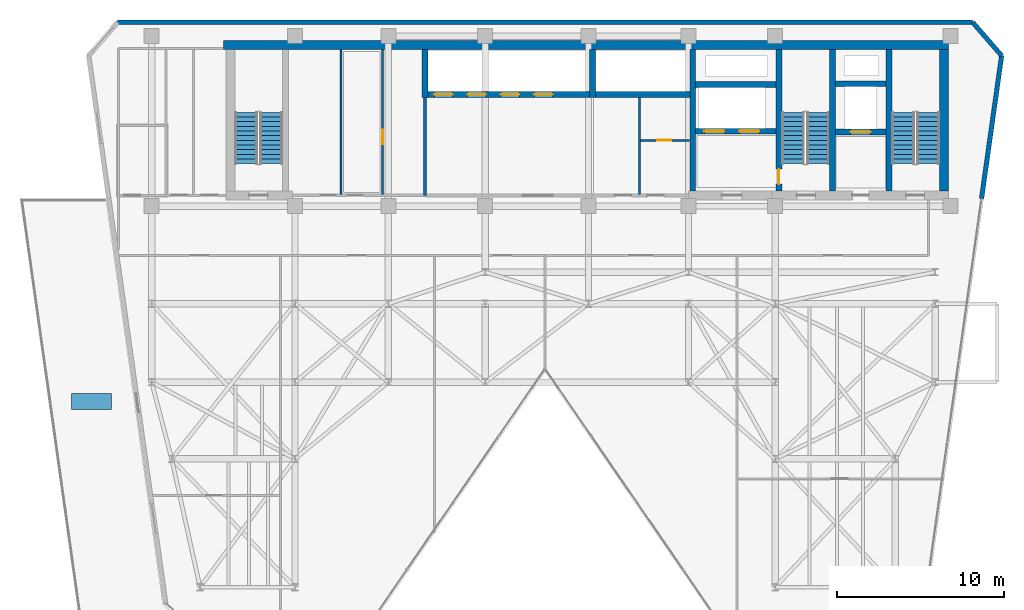
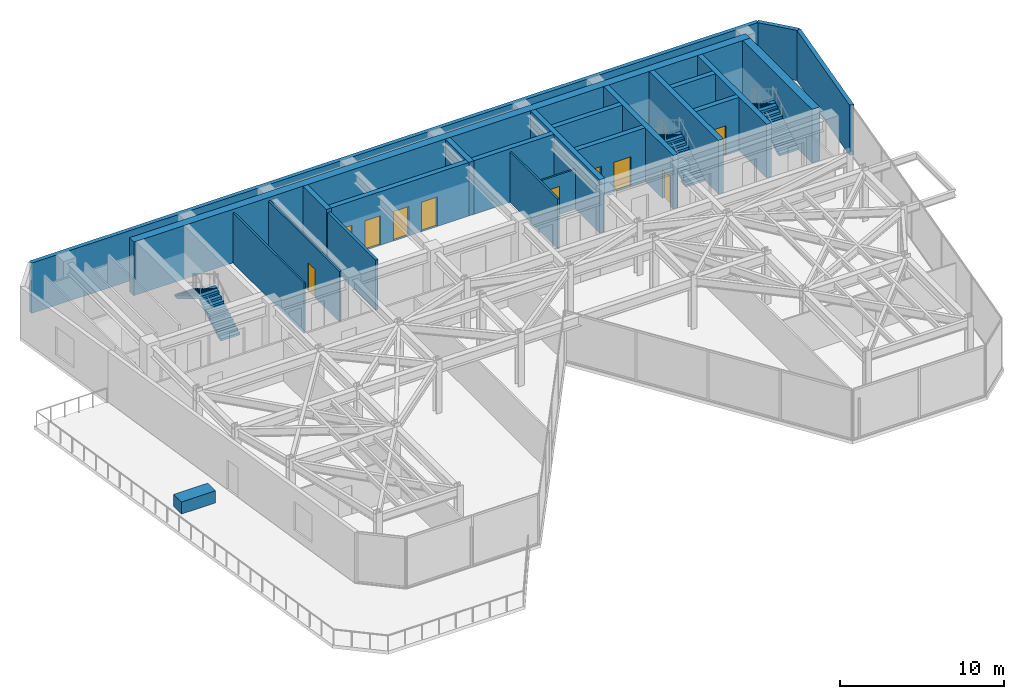
# One storey, part 18 of 21: 22 walls, 10 doors, 6 stair flights, 1 discrete accessory, 10 openings, 3 elements without a shape of their own.
"""IFC4 building model written with IfcOpenShell, lengths in metres."""

from ifc_helpers import new_model, si_unit, direction, frame, frame_2d, origin, origin_2d, place, context, subcontext, project, spatial, polyline, rectangle, outline, extrude, material, layer, layer_set, type_object, element, fill, aggregate, save


model = new_model("IFC4")

# Units and contexts
model_context = context("Model", 3, precision=1e-05, world=origin(), true_north=direction((0.0, 1.0)))
body_context = subcontext(model_context, "Body", "Model", "MODEL_VIEW")
ifc_project = project(units=[si_unit("LENGTHUNIT", "METRE"), si_unit("AREAUNIT", "SQUARE_METRE"), si_unit("VOLUMEUNIT", "CUBIC_METRE"), si_unit("PLANEANGLEUNIT", "RADIAN"), si_unit("MASSUNIT", "GRAM", prefix="KILO")], contexts=[model_context])

# Site, building, storey
site_placement = place(None, origin())
site = spatial("IfcSite", under=ifc_project, at=site_placement, CompositionType="ELEMENT")
building_placement = place(site_placement, origin())
building = spatial("IfcBuilding", under=site, at=building_placement, Name="Kravanh Interchange Tower", CompositionType="ELEMENT")
storey_placement = place(building_placement, frame((0.0, 0.0, 160.5)))
storey = spatial("IfcBuildingStorey", under=building, at=storey_placement, Name="L38", CompositionType="ELEMENT", Elevation=160.5)

# Wall
ifc_material_1 = material(Name="Double Acoustic Gypsum Board and Mineral Wool")
ifc_layer_1 = layer(ifc_material_1, 0.1201171875)
ifc_layer_set_1 = layer_set([ifc_layer_1], Name="Acoustic Office Drywall Partition 120mm")
wall_type_1 = type_object("IfcWallType", Name="Acoustic Office Drywall Partition 120mm", PredefinedType="PARTITIONING", material=ifc_layer_set_1)
wall_1_placement = place(storey_placement, frame((47.85009765625, 38.068115234375, 0.0), z_axis=(0.0, 0.0, 1.0), x_axis=(0.0, 1.0, 0.0)))
element("IfcWall", 1, at=wall_1_placement, inside=storey, type_object=wall_type_1, Name="L38 Interior Partition 2", PredefinedType="PARTITIONING", context=body_context, shape_type="SweptSolid", body=[
    extrude(rectangle(XDim=5.798828125, YDim=0.1201171875, at=frame_2d((2.8994140625, 0.0))), origin(), (0.0, 0.0, 1.0), 3.7548828125),
])

# Wall, opening, door
wall_2_placement = place(storey_placement, frame((47.91796875, 41.300048828125, 0.0), z_axis=(0.0, 0.0, 1.0), x_axis=(1.0, 0.0, 0.0)))
wall_2 = element("IfcWall", 2, at=wall_2_placement, inside=storey, type_object=wall_type_1, Name="L38 Interior Partition 3", PredefinedType="PARTITIONING", context=body_context, shape_type="SweptSolid", body=[
    extrude(rectangle(XDim=2.948974609375, YDim=0.1201171875, at=frame_2d((1.474609375, 0.0))), origin(), (0.0, 0.0, 1.0), 2.98193359375),
])
opening_1_placement = place(wall_2_placement, frame((0.9912109375, 0.0, 0.0)))
opening_1 = element("IfcOpeningElement", 3, at=opening_1_placement, cuts=wall_2, Name="Opening D-85", PredefinedType="OPENING", context=body_context, shape_type="SweptSolid", body=[
    extrude(rectangle(XDim=0.85009765625, YDim=2.10009765625, at=frame_2d((0.425048828125, 1.050048828125))), frame((0.0, 0.070068359375, 0.0), z_axis=(0.0, -1.0, 0.0), x_axis=(1.0, 0.0, 0.0)), (0.0, 0.0, 1.0), 0.14013671875),
])
ifc_material_2 = material(Name="Engineered Teak Veneer Timber", Category="wood")
door_type_1 = type_object("IfcDoorType", Name="En-Suite Timber Door 850x2100", OperationType="NOTDEFINED", PredefinedType="DOOR", material=ifc_material_2)
door_1_placement = place(opening_1_placement, origin())
door_1 = element("IfcDoor", 4, at=door_1_placement, inside=storey, type_object=door_type_1, Name="L38 Core Supply Inner Door", OperationType="SINGLE_SWING_LEFT", OverallHeight=2.10009765625, OverallWidth=0.85009765625, PredefinedType="DOOR", context=body_context, shape_type="SweptSolid", body=[
    extrude(rectangle(XDim=0.85009765625, YDim=2.10009765625, at=frame_2d((0.425048828125, 1.050048828125))), frame((0.0, 0.02490234375, 0.0), z_axis=(0.0, -1.0, 0.0), x_axis=(1.0, 0.0, 0.0)), (0.0, 0.0, 1.0), 0.050048828125),
])
fill(opening_1, door_1)

# Wall
wall_3_placement = place(storey_placement, frame((29.949951171875, 38.068115234375, 0.0), z_axis=(0.0, 0.0, 1.0), x_axis=(0.0, 1.0, 0.0)))
element("IfcWall", 5, at=wall_3_placement, inside=storey, type_object=wall_type_1, Name="L38 Interior Partition 6", PredefinedType="PARTITIONING", context=body_context, shape_type="SweptSolid", body=[
    extrude(rectangle(XDim=8.673828125, YDim=0.1201171875, at=frame_2d((4.3369140625, 0.0))), origin(), (0.0, 0.0, 1.0), 3.7548828125),
])

# Wall, opening, door
wall_4_placement = place(storey_placement, frame((32.449951171875, 38.068115234375, 0.0), z_axis=(0.0, 0.0, 1.0), x_axis=(0.0, 1.0, 0.0)))
wall_4 = element("IfcWall", 6, at=wall_4_placement, inside=storey, type_object=wall_type_1, Name="L38 Interior Partition 7", PredefinedType="PARTITIONING", context=body_context, shape_type="SweptSolid", body=[
    extrude(rectangle(XDim=8.673828125, YDim=0.1201171875, at=frame_2d((4.3369140625, 0.0))), origin(), (0.0, 0.0, 1.0), 3.7548828125),
])
opening_2_placement = place(wall_4_placement, frame((3.007080078125, 0.0, 0.0)))
opening_2 = element("IfcOpeningElement", 7, at=opening_2_placement, cuts=wall_4, Name="Opening D-85", PredefinedType="OPENING", context=body_context, shape_type="SweptSolid", body=[
    extrude(rectangle(XDim=0.85009765625, YDim=2.10009765625, at=frame_2d((0.425048828125, 1.050048828125))), frame((0.0, 0.070068359375, 0.0), z_axis=(0.0, -1.0, 0.0), x_axis=(1.0, 0.0, 0.0)), (0.0, 0.0, 1.0), 0.14013671875),
])
door_2_placement = place(opening_2_placement, origin())
door_2 = element("IfcDoor", 8, at=door_2_placement, inside=storey, type_object=door_type_1, Name="L38 Supply Room Inner Door", OperationType="SINGLE_SWING_RIGHT", OverallHeight=2.10009765625, OverallWidth=0.85009765625, PredefinedType="DOOR", context=body_context, shape_type="SweptSolid", body=[
    extrude(rectangle(XDim=0.85009765625, YDim=2.10009765625, at=frame_2d((0.425048828125, 1.050048828125))), frame((0.0, 0.02490234375, 0.0), z_axis=(0.0, -1.0, 0.0), x_axis=(1.0, 0.0, 0.0)), (0.0, 0.0, 1.0), 0.050048828125),
])
fill(opening_2, door_2)

# Walls
ifc_material_3 = material(Name="Concrete C60/75", Category="concrete")
ifc_layer_2 = layer(ifc_material_3, 0.35009765625)
ifc_layer_set_2 = layer_set([ifc_layer_2], Name="Core Shear Wall Concrete C60/75 350mm")
wall_type_2 = type_object("IfcWallType", Name="Core Shear Wall Concrete C60/75 350mm", PredefinedType="SHEAR", material=ifc_layer_set_2)
for number, where, z_axis, x_axis, name in (
    (9, (62.824951171875, 38.27490234375, 0.0), (0.0, 0.0, 1.0), (0.0, 1.0, 0.0), "L38 Stair ST1 West Shear Wall"),
    (10, (59.425048828125, 38.27490234375, 0.0), (0.0, 0.0, 1.0), (0.0, 1.0, 0.0), "L38 Stair ST2 East Shear Wall"),
):
    element("IfcWall", number, at=place(storey_placement, frame(where, z_axis=z_axis, x_axis=x_axis)), inside=storey, type_object=wall_type_2, Name=name, PredefinedType="SHEAR", context=body_context, shape_type="SweptSolid", body=[
        extrude(rectangle(XDim=8.47509765625, YDim=0.35009765625, at=frame_2d((4.237548828125, 0.0))), origin(), (0.0, 0.0, 1.0), 4.0),
    ])

# Wall, opening, door
wall_5_placement = place(storey_placement, frame((56.22509765625, 38.27490234375, 0.0), z_axis=(0.0, 0.0, 1.0), x_axis=(0.0, 1.0, 0.0)))
wall_5 = element("IfcWall", 11, at=wall_5_placement, inside=storey, type_object=wall_type_2, Name="L38 Stair ST2 West Shear Wall", PredefinedType="SHEAR", context=body_context, shape_type="SweptSolid", body=[
    extrude(rectangle(XDim=8.47509765625, YDim=0.35009765625, at=frame_2d((4.237548828125, 0.0))), origin(), (0.0, 0.0, 1.0), 4.0),
])
opening_3_placement = place(wall_5_placement, frame((0.405029296875, 0.0, 0.0)))
opening_3 = element("IfcOpeningElement", 12, at=opening_3_placement, cuts=wall_5, Name="Opening D-STAIR-90", PredefinedType="OPENING", context=body_context, shape_type="SweptSolid", body=[
    extrude(rectangle(XDim=0.89990234375, YDim=2.14990234375, at=frame_2d((0.449951171875, 1.074951171875))), frame((0.0, 0.18505859375, 0.0), z_axis=(0.0, -1.0, 0.0), x_axis=(1.0, 0.0, 0.0)), (0.0, 0.0, 1.0), 0.3701171875),
])
ifc_material_4 = material(Name="Structural Steel S355", Category="steel")
door_type_2 = type_object("IfcDoorType", Name="Fire-Rated Stair Lobby Door 900x2150", OperationType="NOTDEFINED", PredefinedType="DOOR", material=ifc_material_4)
door_3_placement = place(opening_3_placement, origin())
door_3 = element("IfcDoor", 13, at=door_3_placement, inside=storey, type_object=door_type_2, Name="L38 Firefighting Lobby to Stair ST2 Door", OperationType="SINGLE_SWING_LEFT", OverallHeight=2.14990234375, OverallWidth=0.89990234375, PredefinedType="DOOR", context=body_context, shape_type="SweptSolid", body=[
    extrude(rectangle(XDim=0.89990234375, YDim=2.14990234375, at=frame_2d((0.449951171875, 1.074951171875))), frame((0.0, 0.02490234375, 0.0), z_axis=(0.0, -1.0, 0.0), x_axis=(1.0, 0.0, 0.0)), (0.0, 0.0, 1.0), 0.050048828125),
])
fill(opening_3, door_3)

wall_6_placement = place(storey_placement, frame((59.60009765625, 41.800048828125, 0.0), z_axis=(0.0, 0.0, 1.0), x_axis=(1.0, 0.0, 0.0)))
wall_6 = element("IfcWall", 14, at=wall_6_placement, inside=storey, type_object=wall_type_2, Name="L38 Service Lift Shaft South Wall", PredefinedType="SHEAR", context=body_context, shape_type="SweptSolid", body=[
    extrude(rectangle(XDim=3.0498046875, YDim=0.35009765625, at=frame_2d((1.52490234375, 0.0))), origin(), (0.0, 0.0, 1.0), 4.0),
])
opening_4_placement = place(wall_6_placement, frame((0.919921875, 0.0, 0.0)))
opening_4 = element("IfcOpeningElement", 15, at=opening_4_placement, cuts=wall_6, Name="Opening LD02", PredefinedType="OPENING", context=body_context, shape_type="SweptSolid", body=[
    extrude(rectangle(XDim=1.199951171875, YDim=2.199951171875, at=frame_2d((0.60009765625, 1.10009765625))), frame((0.0, 0.18505859375, 0.0), z_axis=(0.0, -1.0, 0.0), x_axis=(1.0, 0.0, 0.0)), (0.0, 0.0, 1.0), 0.3701171875),
])
ifc_material_5 = material(Name="Stainless Steel 316", Category="steel")
door_type_3 = type_object("IfcDoorType", Name="Fire and Service Lift Sliding Landing Door 1200x2200", OperationType="DOUBLE_DOOR_SLIDING", PredefinedType="DOOR", material=ifc_material_5)
door_4_placement = place(opening_4_placement, origin())
door_4 = element("IfcDoor", 16, at=door_4_placement, inside=storey, type_object=door_type_3, Name="L38 Lift LS-01 Landing Door", OperationType="DOUBLE_DOOR_SLIDING", OverallHeight=2.199951171875, OverallWidth=1.199951171875, PredefinedType="DOOR", context=body_context, shape_type="SweptSolid", body=[
    extrude(rectangle(XDim=1.199951171875, YDim=2.199951171875, at=frame_2d((0.60009765625, 1.10009765625))), frame((0.0, 0.02490234375, 0.0), z_axis=(0.0, -1.0, 0.0), x_axis=(1.0, 0.0, 0.0)), (0.0, 0.0, 1.0), 0.050048828125),
])
fill(opening_4, door_4)

# Wall
wall_7_placement = place(storey_placement, frame((59.60009765625, 44.699951171875, 0.0), z_axis=(0.0, 0.0, 1.0), x_axis=(1.0, 0.0, 0.0)))
element("IfcWall", 17, at=wall_7_placement, inside=storey, type_object=wall_type_2, Name="L38 Service Lift Shaft North Wall", PredefinedType="SHEAR", context=body_context, shape_type="SweptSolid", body=[
    extrude(rectangle(XDim=3.0498046875, YDim=0.35009765625, at=frame_2d((1.52490234375, 0.0))), origin(), (0.0, 0.0, 1.0), 4.0),
])

# Wall, openings, doors
wall_8_placement = place(storey_placement, frame((51.22509765625, 41.85009765625, 0.0), z_axis=(0.0, 0.0, 1.0), x_axis=(1.0, 0.0, 0.0)))
wall_8 = element("IfcWall", 18, at=wall_8_placement, inside=storey, type_object=wall_type_2, Name="L38 Fire Lift Shaft South Wall", PredefinedType="SHEAR", context=body_context, shape_type="SweptSolid", body=[
    extrude(rectangle(XDim=4.824951171875, YDim=0.35009765625, at=frame_2d((2.41259765625, 0.0))), origin(), (0.0, 0.0, 1.0), 4.0),
])
opening_5_placement = place(wall_8_placement, frame((0.52490234375, 0.0, 0.0)))
opening_5 = element("IfcOpeningElement", 19, at=opening_5_placement, cuts=wall_8, Name="Opening LD02", PredefinedType="OPENING", context=body_context, shape_type="SweptSolid", body=[
    extrude(rectangle(XDim=1.199951171875, YDim=2.199951171875, at=frame_2d((0.60009765625, 1.10009765625))), frame((0.0, 0.18505859375, 0.0), z_axis=(0.0, -1.0, 0.0), x_axis=(1.0, 0.0, 0.0)), (0.0, 0.0, 1.0), 0.3701171875),
])
opening_6_placement = place(wall_8_placement, frame((2.625, 0.0, 0.0)))
opening_6 = element("IfcOpeningElement", 20, at=opening_6_placement, cuts=wall_8, Name="Opening LD02", PredefinedType="OPENING", context=body_context, shape_type="SweptSolid", body=[
    extrude(rectangle(XDim=1.199951171875, YDim=2.199951171875, at=frame_2d((0.60009765625, 1.10009765625))), frame((0.0, 0.18505859375, 0.0), z_axis=(0.0, -1.0, 0.0), x_axis=(1.0, 0.0, 0.0)), (0.0, 0.0, 1.0), 0.3701171875),
])
door_5_placement = place(opening_5_placement, origin())
door_5 = element("IfcDoor", 21, at=door_5_placement, inside=storey, type_object=door_type_3, Name="L38 Lift FSAE-01 Landing Door", OperationType="DOUBLE_DOOR_SLIDING", OverallHeight=2.199951171875, OverallWidth=1.199951171875, PredefinedType="DOOR", context=body_context, shape_type="SweptSolid", body=[
    extrude(rectangle(XDim=1.199951171875, YDim=2.199951171875, at=frame_2d((0.60009765625, 1.10009765625))), frame((0.0, 0.02490234375, 0.0), z_axis=(0.0, -1.0, 0.0), x_axis=(1.0, 0.0, 0.0)), (0.0, 0.0, 1.0), 0.050048828125),
])
fill(opening_5, door_5)
door_6_placement = place(opening_6_placement, origin())
door_6 = element("IfcDoor", 22, at=door_6_placement, inside=storey, type_object=door_type_3, Name="L38 Lift FSAE-02 Landing Door", OperationType="DOUBLE_DOOR_SLIDING", OverallHeight=2.199951171875, OverallWidth=1.199951171875, PredefinedType="DOOR", context=body_context, shape_type="SweptSolid", body=[
    extrude(rectangle(XDim=1.199951171875, YDim=2.199951171875, at=frame_2d((0.60009765625, 1.10009765625))), frame((0.0, 0.02490234375, 0.0), z_axis=(0.0, -1.0, 0.0), x_axis=(1.0, 0.0, 0.0)), (0.0, 0.0, 1.0), 0.050048828125),
])
fill(opening_6, door_6)

# Walls
wall_9_placement = place(storey_placement, frame((51.22509765625, 44.64990234375, 0.0), z_axis=(0.0, 0.0, 1.0), x_axis=(1.0, 0.0, 0.0)))
element("IfcWall", 23, at=wall_9_placement, inside=storey, type_object=wall_type_2, Name="L38 Fire Lift Shaft North Wall", PredefinedType="SHEAR", context=body_context, shape_type="SweptSolid", body=[
    extrude(rectangle(XDim=4.824951171875, YDim=0.35009765625, at=frame_2d((2.41259765625, 0.0))), origin(), (0.0, 0.0, 1.0), 4.0),
])
wall_10_placement = place(storey_placement, frame((51.050048828125, 38.27490234375, 0.0), z_axis=(0.0, 0.0, 1.0), x_axis=(0.0, 1.0, 0.0)))
element("IfcWall", 24, at=wall_10_placement, inside=storey, type_object=wall_type_2, Name="L38 Firefighting Lobby West Wall", PredefinedType="SHEAR", context=body_context, shape_type="SweptSolid", body=[
    extrude(rectangle(XDim=8.47509765625, YDim=0.35009765625, at=frame_2d((4.237548828125, 0.0))), origin(), (0.0, 0.0, 1.0), 4.0),
])
wall_11_placement = place(storey_placement, frame((45.22509765625, 44.050048828125, 0.0), z_axis=(0.0, 0.0, 1.0), x_axis=(1.0, 0.0, 0.0)))
element("IfcWall", 25, at=wall_11_placement, inside=storey, type_object=wall_type_2, Name="L38 High-Rise Lift Shaft South Wall", PredefinedType="SHEAR", context=body_context, shape_type="SweptSolid", body=[
    extrude(rectangle(XDim=5.64990234375, YDim=0.35009765625, at=frame_2d((2.824951171875, 0.0))), origin(), (0.0, 0.0, 1.0), 4.0),
])
wall_12_placement = place(storey_placement, frame((45.050048828125, 43.875, 0.0), z_axis=(0.0, 0.0, 1.0), x_axis=(0.0, 1.0, 0.0)))
element("IfcWall", 26, at=wall_12_placement, inside=storey, type_object=wall_type_2, Name="L38 High-Rise Lift Shaft West Wall", PredefinedType="SHEAR", context=body_context, shape_type="SweptSolid", body=[
    extrude(rectangle(XDim=2.875, YDim=0.35009765625, at=frame_2d((1.4375, 0.0))), origin(), (0.0, 0.0, 1.0), 4.0),
])

# Wall, openings, doors
wall_13_placement = place(storey_placement, frame((35.175048828125, 44.050048828125, 0.0), z_axis=(0.0, 0.0, 1.0), x_axis=(1.0, 0.0, 0.0)))
wall_13 = element("IfcWall", 27, at=wall_13_placement, inside=storey, type_object=wall_type_2, Name="L38 Mid-Rise Lift Shaft South Wall", PredefinedType="SHEAR", context=body_context, shape_type="SweptSolid", body=[
    extrude(rectangle(XDim=9.699951171875, YDim=0.35009765625, at=frame_2d((4.85009765625, 0.0))), origin(), (0.0, 0.0, 1.0), 4.0),
])
opening_7_placement = place(wall_13_placement, frame((0.375, 0.0, 0.0)))
opening_7 = element("IfcOpeningElement", 28, at=opening_7_placement, cuts=wall_13, Name="Opening LD01", PredefinedType="OPENING", context=body_context, shape_type="SweptSolid", body=[
    extrude(rectangle(XDim=1.10009765625, YDim=2.199951171875, at=frame_2d((0.550048828125, 1.10009765625))), frame((0.0, 0.18505859375, 0.0), z_axis=(0.0, -1.0, 0.0), x_axis=(1.0, 0.0, 0.0)), (0.0, 0.0, 1.0), 0.3701171875),
])
opening_8_placement = place(wall_13_placement, frame((2.375, 0.0, 0.0)))
opening_8 = element("IfcOpeningElement", 29, at=opening_8_placement, cuts=wall_13, Name="Opening LD01", PredefinedType="OPENING", context=body_context, shape_type="SweptSolid", body=[
    extrude(rectangle(XDim=1.10009765625, YDim=2.199951171875, at=frame_2d((0.550048828125, 1.10009765625))), frame((0.0, 0.18505859375, 0.0), z_axis=(0.0, -1.0, 0.0), x_axis=(1.0, 0.0, 0.0)), (0.0, 0.0, 1.0), 0.3701171875),
])
opening_9_placement = place(wall_13_placement, frame((4.375, 0.0, 0.0)))
opening_9 = element("IfcOpeningElement", 30, at=opening_9_placement, cuts=wall_13, Name="Opening LD01", PredefinedType="OPENING", context=body_context, shape_type="SweptSolid", body=[
    extrude(rectangle(XDim=1.10009765625, YDim=2.199951171875, at=frame_2d((0.550048828125, 1.10009765625))), frame((0.0, 0.18505859375, 0.0), z_axis=(0.0, -1.0, 0.0), x_axis=(1.0, 0.0, 0.0)), (0.0, 0.0, 1.0), 0.3701171875),
])
opening_10_placement = place(wall_13_placement, frame((6.375, 0.0, 0.0)))
opening_10 = element("IfcOpeningElement", 31, at=opening_10_placement, cuts=wall_13, Name="Opening LD01", PredefinedType="OPENING", context=body_context, shape_type="SweptSolid", body=[
    extrude(rectangle(XDim=1.10009765625, YDim=2.199951171875, at=frame_2d((0.550048828125, 1.10009765625))), frame((0.0, 0.18505859375, 0.0), z_axis=(0.0, -1.0, 0.0), x_axis=(1.0, 0.0, 0.0)), (0.0, 0.0, 1.0), 0.3701171875),
])
ifc_material_6 = material(Name="Stainless Steel 304", Category="steel")
door_type_4 = type_object("IfcDoorType", Name="Passenger Lift Sliding Landing Door 1100x2200", OperationType="DOUBLE_DOOR_SLIDING", PredefinedType="DOOR", material=ifc_material_6)
door_7_placement = place(opening_7_placement, origin())
door_7 = element("IfcDoor", 32, at=door_7_placement, inside=storey, type_object=door_type_4, Name="L38 Lift LP-M1 Landing Door", OperationType="DOUBLE_DOOR_SLIDING", OverallHeight=2.199951171875, OverallWidth=1.10009765625, PredefinedType="DOOR", context=body_context, shape_type="SweptSolid", body=[
    extrude(rectangle(XDim=1.10009765625, YDim=2.199951171875, at=frame_2d((0.550048828125, 1.10009765625))), frame((0.0, 0.02490234375, 0.0), z_axis=(0.0, -1.0, 0.0), x_axis=(1.0, 0.0, 0.0)), (0.0, 0.0, 1.0), 0.050048828125),
])
fill(opening_7, door_7)
door_8_placement = place(opening_8_placement, origin())
door_8 = element("IfcDoor", 33, at=door_8_placement, inside=storey, type_object=door_type_4, Name="L38 Lift LP-M2 Landing Door", OperationType="DOUBLE_DOOR_SLIDING", OverallHeight=2.199951171875, OverallWidth=1.10009765625, PredefinedType="DOOR", context=body_context, shape_type="SweptSolid", body=[
    extrude(rectangle(XDim=1.10009765625, YDim=2.199951171875, at=frame_2d((0.550048828125, 1.10009765625))), frame((0.0, 0.02490234375, 0.0), z_axis=(0.0, -1.0, 0.0), x_axis=(1.0, 0.0, 0.0)), (0.0, 0.0, 1.0), 0.050048828125),
])
fill(opening_8, door_8)
door_9_placement = place(opening_9_placement, origin())
door_9 = element("IfcDoor", 34, at=door_9_placement, inside=storey, type_object=door_type_4, Name="L38 Lift LP-M3 Landing Door", OperationType="DOUBLE_DOOR_SLIDING", OverallHeight=2.199951171875, OverallWidth=1.10009765625, PredefinedType="DOOR", context=body_context, shape_type="SweptSolid", body=[
    extrude(rectangle(XDim=1.10009765625, YDim=2.199951171875, at=frame_2d((0.550048828125, 1.10009765625))), frame((0.0, 0.02490234375, 0.0), z_axis=(0.0, -1.0, 0.0), x_axis=(1.0, 0.0, 0.0)), (0.0, 0.0, 1.0), 0.050048828125),
])
fill(opening_9, door_9)
door_10_placement = place(opening_10_placement, origin())
door_10 = element("IfcDoor", 35, at=door_10_placement, inside=storey, type_object=door_type_4, Name="L38 Lift LP-M4 Landing Door", OperationType="DOUBLE_DOOR_SLIDING", OverallHeight=2.199951171875, OverallWidth=1.10009765625, PredefinedType="DOOR", context=body_context, shape_type="SweptSolid", body=[
    extrude(rectangle(XDim=1.10009765625, YDim=2.199951171875, at=frame_2d((0.550048828125, 1.10009765625))), frame((0.0, 0.02490234375, 0.0), z_axis=(0.0, -1.0, 0.0), x_axis=(1.0, 0.0, 0.0)), (0.0, 0.0, 1.0), 0.050048828125),
])
fill(opening_10, door_10)

# Walls
wall_14_placement = place(storey_placement, frame((35.0, 43.875, 0.0), z_axis=(0.0, 0.0, 1.0), x_axis=(0.0, 1.0, 0.0)))
element("IfcWall", 36, at=wall_14_placement, inside=storey, type_object=wall_type_2, Name="L38 Mid-Rise Lift Shaft West Wall", PredefinedType="SHEAR", context=body_context, shape_type="SweptSolid", body=[
    extrude(rectangle(XDim=2.875, YDim=0.35009765625, at=frame_2d((1.4375, 0.0))), origin(), (0.0, 0.0, 1.0), 4.0),
])
ifc_material_7 = material(Name="Concrete C70/85", Category="concrete")
ifc_layer_3 = layer(ifc_material_7, 0.550048828125)
ifc_layer_set_3 = layer_set([ifc_layer_3], Name="Core Shear Wall Concrete C70/85 550mm")
wall_type_3 = type_object("IfcWallType", Name="Core Shear Wall Concrete C70/85 550mm", PredefinedType="SHEAR", material=ifc_layer_set_3)
wall_15_placement = place(storey_placement, frame((22.89990234375, 47.02490234375, 0.0), z_axis=(0.0, 0.0, 1.0), x_axis=(1.0, 0.0, 0.0)))
element("IfcWall", 37, at=wall_15_placement, inside=storey, type_object=wall_type_3, Name="L38 North Core Shear Wall", PredefinedType="SHEAR", context=body_context, shape_type="SweptSolid", body=[
    extrude(rectangle(XDim=43.5, YDim=0.550048828125, at=frame_2d((21.75, 0.0))), origin(), (0.0, 0.0, 1.0), 4.0),
])
wall_16_placement = place(storey_placement, frame((66.125, 38.27490234375, 0.0), z_axis=(0.0, 0.0, 1.0), x_axis=(0.0, 1.0, 0.0)))
element("IfcWall", 38, at=wall_16_placement, inside=storey, type_object=wall_type_3, Name="L38 Stair ST1 East Shear Wall", PredefinedType="SHEAR", context=body_context, shape_type="SweptSolid", body=[
    extrude(rectangle(XDim=8.47509765625, YDim=0.550048828125, at=frame_2d((4.237548828125, 0.0))), origin(), (0.0, 0.0, 1.0), 4.0),
])
ifc_material_8 = material(Name="Insulated Precast Concrete C40/50 with Bronze Cladding", Category="concrete")
ifc_layer_4 = layer(ifc_material_8, 0.280029296875)
ifc_layer_set_4 = layer_set([ifc_layer_4], Name="Exterior Insulated Concrete C40/50 Bronze Spandrel Wall 280mm")
wall_type_4 = type_object("IfcWallType", Name="Exterior Insulated Concrete C40/50 Bronze Spandrel Wall 280mm", PredefinedType="STANDARD", material=ifc_layer_set_4)
wall_17_placement = place(storey_placement, frame((16.5546875, 48.3798828125, 0.0), z_axis=(0.0, 0.0, 1.0), x_axis=(1.0, 0.0, 0.0)))
element("IfcWall", 39, at=wall_17_placement, inside=storey, type_object=wall_type_4, Name="L38 Exterior Wall 4", PredefinedType="STANDARD", context=body_context, shape_type="SweptSolid", body=[
    extrude(rectangle(XDim=51.29052734375, YDim=0.280029296875, at=frame_2d((25.645263671875, 0.0))), origin(), (0.0, 0.0, 1.0), 3.7548828125),
])
wall_18_placement = place(storey_placement, frame((67.84521484375, 48.3798828125, 0.0), z_axis=(0.0, 0.0, 1.0), x_axis=(0.656071351282, -0.754698868442, 0.0)))
element("IfcWall", 40, at=wall_18_placement, inside=storey, type_object=wall_type_4, Name="L38 Exterior Wall 5", PredefinedType="STANDARD", context=body_context, shape_type="SweptSolid", body=[
    extrude(rectangle(XDim=2.646240234375, YDim=0.280029296875, at=frame_2d((1.3232421875, 0.0))), origin(), (0.0, 0.0, 1.0), 3.7548828125),
])
wall_19_placement = place(storey_placement, frame((69.581298828125, 46.3828125, 0.0), z_axis=(0.0, 0.0, 1.0), x_axis=(-0.13918102754, -0.990266954701, 0.0)))
element("IfcWall", 41, at=wall_19_placement, inside=storey, type_object=wall_type_4, Name="L38 Exterior Wall 6", PredefinedType="STANDARD", context=body_context, shape_type="SweptSolid", body=[
    extrude(rectangle(XDim=8.667236328125, YDim=0.280029296875, at=frame_2d((4.33349609375, 0.0))), origin(), (0.0, 0.0, 1.0), 3.7548828125),
])
ifc_material_9 = material(Name="Autoclaved Aerated Concrete C30/37 Blockwork", Category="masonry")
ifc_layer_5 = layer(ifc_material_9, 0.179931640625)
ifc_layer_set_5 = layer_set([ifc_layer_5], Name="Fire-Rated Lobby and Corridor Wall Concrete C30/37 180mm")
wall_type_5 = type_object("IfcWallType", Name="Fire-Rated Lobby and Corridor Wall Concrete C30/37 180mm", PredefinedType="STANDARD", material=ifc_layer_set_5)
wall_20_placement = place(storey_placement, frame((35.0, 38.0, 0.0), z_axis=(0.0, 0.0, 1.0), x_axis=(0.0, 1.0, 0.0)))
element("IfcWall", 42, at=wall_20_placement, inside=storey, type_object=wall_type_5, Name="L38 Interior Partition 5", PredefinedType="STANDARD", context=body_context, shape_type="SweptSolid", body=[
    extrude(rectangle(XDim=5.875, YDim=0.179931640625, at=frame_2d((2.9375, 0.0))), origin(), (0.0, 0.0, 1.0), 3.7548828125),
])

# Stair, stair flights
ifc_material_10 = material(Name="Concrete C50/60", Category="concrete")
stair_type = type_object("IfcStairType", Name="Core Fire Exit Dogleg Stair Concrete C50/60", PredefinedType="HALF_TURN_STAIR", material=ifc_material_10)
stair_1_placement = place(storey_placement, origin())
stair_1 = element("IfcStair", 43, at=stair_1_placement, inside=storey, type_object=stair_type, Name="L38 Exit Stair ST1", PredefinedType="HALF_TURN_STAIR")
ifc_material_11 = material(Name="Precast Concrete C50/60", Category="concrete")
ifc_layer_6 = layer(ifc_material_11, 0.199951171875)
ifc_layer_set_6 = layer_set([ifc_layer_6], Name="Precast Concrete C50/60 Stair Flight 1350mm")
stair_flight_type = type_object("IfcStairFlightType", Name="Precast Concrete C50/60 Stair Flight 1350mm", PredefinedType="STRAIGHT", material=ifc_layer_set_6)
stair_flight_1_placement = place(storey_placement, frame((65.175048828125, 39.89990234375, 0.0), z_axis=(0.0, 0.0, 1.0), x_axis=(0.0, 1.0, 0.0)))
stair_flight_1 = element("IfcStairFlight", 44, at=stair_flight_1_placement, type_object=stair_flight_type, Name="ST1 flight 1", NumberOfRisers=12, NumberOfTreads=11, PredefinedType="STRAIGHT", RiserHeight=0.166666667, TreadLength=0.28, context=body_context, shape_type="SweptSolid", body=[
    extrude(outline(polyline([(0.0, 0.0), (0.0, 0.166748046875), (0.280029296875, 0.166748046875), (0.280029296875, 0.333251953125), (0.56005859375, 0.333251953125), (0.56005859375, 0.5), (0.840087890625, 0.5), (0.840087890625, 0.666748046875), (1.1201171875, 0.666748046875), (1.1201171875, 0.833251953125), (1.39990234375, 0.833251953125), (1.39990234375, 1.0), (1.679931640625, 1.0), (1.679931640625, 1.166748046875), (1.9599609375, 1.166748046875), (1.9599609375, 1.333251953125), (2.239990234375, 1.333251953125), (2.239990234375, 1.5), (2.52001953125, 1.5), (2.52001953125, 1.666748046875), (2.800048828125, 1.666748046875), (2.800048828125, 1.833251953125), (3.080078125, 1.833251953125), (3.080078125, 2.0), (3.080078125, 1.658935546875), (0.29296875, 0.0), (0.0, 0.0)])), frame((0.0, 0.675048828125, 0.0), z_axis=(0.0, -1.0, 0.0), x_axis=(1.0, 0.0, 0.0)), (0.0, 0.0, 1.0), 1.35009765625),
])
stair_flight_2_placement = place(storey_placement, frame((63.675048828125, 42.97998046875, 2.0), z_axis=(0.0, 0.0, 1.0), x_axis=(0.0, -1.0, 0.0)))
stair_flight_2 = element("IfcStairFlight", 45, at=stair_flight_2_placement, type_object=stair_flight_type, Name="ST1 flight 2", NumberOfRisers=12, NumberOfTreads=11, PredefinedType="STRAIGHT", RiserHeight=0.166666667, TreadLength=0.28, context=body_context, shape_type="SweptSolid", body=[
    extrude(outline(polyline([(0.0, 0.0), (0.0, 0.166748046875), (0.280029296875, 0.166748046875), (0.280029296875, 0.333251953125), (0.56005859375, 0.333251953125), (0.56005859375, 0.5), (0.840087890625, 0.5), (0.840087890625, 0.666748046875), (1.1201171875, 0.666748046875), (1.1201171875, 0.833251953125), (1.39990234375, 0.833251953125), (1.39990234375, 1.0), (1.679931640625, 1.0), (1.679931640625, 1.166748046875), (1.9599609375, 1.166748046875), (1.9599609375, 1.333251953125), (2.239990234375, 1.333251953125), (2.239990234375, 1.5), (2.52001953125, 1.5), (2.52001953125, 1.666748046875), (2.800048828125, 1.666748046875), (2.800048828125, 1.833251953125), (3.080078125, 1.833251953125), (3.080078125, 2.0), (3.080078125, 1.658935546875), (0.29296875, 0.0), (0.0, 0.0)])), frame((0.0, 0.675048828125, 0.0), z_axis=(0.0, -1.0, 0.0), x_axis=(1.0, 0.0, 0.0)), (0.0, 0.0, 1.0), 1.35009765625),
])
aggregate(stair_1, [stair_flight_1, stair_flight_2])

stair_2_placement = place(storey_placement, origin())
stair_2 = element("IfcStair", 46, at=stair_2_placement, inside=storey, type_object=stair_type, Name="L38 Exit Stair ST2", PredefinedType="HALF_TURN_STAIR")
stair_flight_3_placement = place(storey_placement, frame((58.574951171875, 39.89990234375, 0.0), z_axis=(0.0, 0.0, 1.0), x_axis=(0.0, 1.0, 0.0)))
stair_flight_3 = element("IfcStairFlight", 47, at=stair_flight_3_placement, type_object=stair_flight_type, Name="ST2 flight 1", NumberOfRisers=12, NumberOfTreads=11, PredefinedType="STRAIGHT", RiserHeight=0.166666667, TreadLength=0.28, context=body_context, shape_type="SweptSolid", body=[
    extrude(outline(polyline([(0.0, 0.0), (0.0, 0.166748046875), (0.280029296875, 0.166748046875), (0.280029296875, 0.333251953125), (0.56005859375, 0.333251953125), (0.56005859375, 0.5), (0.840087890625, 0.5), (0.840087890625, 0.666748046875), (1.1201171875, 0.666748046875), (1.1201171875, 0.833251953125), (1.39990234375, 0.833251953125), (1.39990234375, 1.0), (1.679931640625, 1.0), (1.679931640625, 1.166748046875), (1.9599609375, 1.166748046875), (1.9599609375, 1.333251953125), (2.239990234375, 1.333251953125), (2.239990234375, 1.5), (2.52001953125, 1.5), (2.52001953125, 1.666748046875), (2.800048828125, 1.666748046875), (2.800048828125, 1.833251953125), (3.080078125, 1.833251953125), (3.080078125, 2.0), (3.080078125, 1.658935546875), (0.29296875, 0.0), (0.0, 0.0)])), frame((0.0, 0.675048828125, 0.0), z_axis=(0.0, -1.0, 0.0), x_axis=(1.0, 0.0, 0.0)), (0.0, 0.0, 1.0), 1.35009765625),
])
stair_flight_4_placement = place(storey_placement, frame((57.074951171875, 42.97998046875, 2.0), z_axis=(0.0, 0.0, 1.0), x_axis=(0.0, -1.0, 0.0)))
stair_flight_4 = element("IfcStairFlight", 48, at=stair_flight_4_placement, type_object=stair_flight_type, Name="ST2 flight 2", NumberOfRisers=12, NumberOfTreads=11, PredefinedType="STRAIGHT", RiserHeight=0.166666667, TreadLength=0.28, context=body_context, shape_type="SweptSolid", body=[
    extrude(outline(polyline([(0.0, 0.0), (0.0, 0.166748046875), (0.280029296875, 0.166748046875), (0.280029296875, 0.333251953125), (0.56005859375, 0.333251953125), (0.56005859375, 0.5), (0.840087890625, 0.5), (0.840087890625, 0.666748046875), (1.1201171875, 0.666748046875), (1.1201171875, 0.833251953125), (1.39990234375, 0.833251953125), (1.39990234375, 1.0), (1.679931640625, 1.0), (1.679931640625, 1.166748046875), (1.9599609375, 1.166748046875), (1.9599609375, 1.333251953125), (2.239990234375, 1.333251953125), (2.239990234375, 1.5), (2.52001953125, 1.5), (2.52001953125, 1.666748046875), (2.800048828125, 1.666748046875), (2.800048828125, 1.833251953125), (3.080078125, 1.833251953125), (3.080078125, 2.0), (3.080078125, 1.658935546875), (0.29296875, 0.0), (0.0, 0.0)])), frame((0.0, 0.675048828125, 0.0), z_axis=(0.0, -1.0, 0.0), x_axis=(1.0, 0.0, 0.0)), (0.0, 0.0, 1.0), 1.35009765625),
])
aggregate(stair_2, [stair_flight_3, stair_flight_4])

stair_3_placement = place(storey_placement, origin())
stair_3 = element("IfcStair", 49, at=stair_3_placement, inside=storey, type_object=stair_type, Name="L38 Exit Stair ST3", PredefinedType="HALF_TURN_STAIR")
stair_flight_5_placement = place(storey_placement, frame((25.77490234375, 39.89990234375, 0.0), z_axis=(0.0, 0.0, 1.0), x_axis=(0.0, 1.0, 0.0)))
stair_flight_5 = element("IfcStairFlight", 50, at=stair_flight_5_placement, type_object=stair_flight_type, Name="ST3 flight 1", NumberOfRisers=12, NumberOfTreads=11, PredefinedType="STRAIGHT", RiserHeight=0.166666667, TreadLength=0.28, context=body_context, shape_type="SweptSolid", body=[
    extrude(outline(polyline([(0.0, 0.0), (0.0, 0.166748046875), (0.280029296875, 0.166748046875), (0.280029296875, 0.333251953125), (0.56005859375, 0.333251953125), (0.56005859375, 0.5), (0.840087890625, 0.5), (0.840087890625, 0.666748046875), (1.1201171875, 0.666748046875), (1.1201171875, 0.833251953125), (1.39990234375, 0.833251953125), (1.39990234375, 1.0), (1.679931640625, 1.0), (1.679931640625, 1.166748046875), (1.9599609375, 1.166748046875), (1.9599609375, 1.333251953125), (2.239990234375, 1.333251953125), (2.239990234375, 1.5), (2.52001953125, 1.5), (2.52001953125, 1.666748046875), (2.800048828125, 1.666748046875), (2.800048828125, 1.833251953125), (3.080078125, 1.833251953125), (3.080078125, 2.0), (3.080078125, 1.658935546875), (0.29296875, 0.0), (0.0, 0.0)])), frame((0.0, 0.675048828125, 0.0), z_axis=(0.0, -1.0, 0.0), x_axis=(1.0, 0.0, 0.0)), (0.0, 0.0, 1.0), 1.35009765625),
])
stair_flight_6_placement = place(storey_placement, frame((24.27490234375, 42.97998046875, 2.0), z_axis=(0.0, 0.0, 1.0), x_axis=(0.0, -1.0, 0.0)))
stair_flight_6 = element("IfcStairFlight", 51, at=stair_flight_6_placement, type_object=stair_flight_type, Name="ST3 flight 2", NumberOfRisers=12, NumberOfTreads=11, PredefinedType="STRAIGHT", RiserHeight=0.166666667, TreadLength=0.28, context=body_context, shape_type="SweptSolid", body=[
    extrude(outline(polyline([(0.0, 0.0), (0.0, 0.166748046875), (0.280029296875, 0.166748046875), (0.280029296875, 0.333251953125), (0.56005859375, 0.333251953125), (0.56005859375, 0.5), (0.840087890625, 0.5), (0.840087890625, 0.666748046875), (1.1201171875, 0.666748046875), (1.1201171875, 0.833251953125), (1.39990234375, 0.833251953125), (1.39990234375, 1.0), (1.679931640625, 1.0), (1.679931640625, 1.166748046875), (1.9599609375, 1.166748046875), (1.9599609375, 1.333251953125), (2.239990234375, 1.333251953125), (2.239990234375, 1.5), (2.52001953125, 1.5), (2.52001953125, 1.666748046875), (2.800048828125, 1.666748046875), (2.800048828125, 1.833251953125), (3.080078125, 1.833251953125), (3.080078125, 2.0), (3.080078125, 1.658935546875), (0.29296875, 0.0), (0.0, 0.0)])), frame((0.0, 0.675048828125, 0.0), z_axis=(0.0, -1.0, 0.0), x_axis=(1.0, 0.0, 0.0)), (0.0, 0.0, 1.0), 1.35009765625),
])
aggregate(stair_3, [stair_flight_5, stair_flight_6])

# Discrete accessory
ifc_material_12 = material(Name="Architectural GRC Concrete C40/50 with Root Barrier", Category="concrete")
discrete_accessory_type = type_object("IfcDiscreteAccessoryType", Name="Stepped Terrace Tree Planter Box Concrete C40/50 2400x950x900", PredefinedType="USERDEFINED", material=ifc_material_12)
discrete_accessory_placement = place(storey_placement, frame((14.993896484375, 25.6298828125, 0.0), z_axis=(0.0, 0.0, 1.0), x_axis=(1.0, 0.0, 0.0)))
element("IfcDiscreteAccessory", 52, at=discrete_accessory_placement, inside=storey, type_object=discrete_accessory_type, Name="L38 Stepped Terrace TREE PLANTER 1", ObjectType="PLANTER", PredefinedType="USERDEFINED", context=body_context, shape_type="SweptSolid", body=[
    extrude(rectangle(XDim=2.39990234375, YDim=0.949951171875, at=origin_2d()), origin(), (0.0, 0.0, 1.0), 0.89990234375),
])

save(model, "model.ifc")
